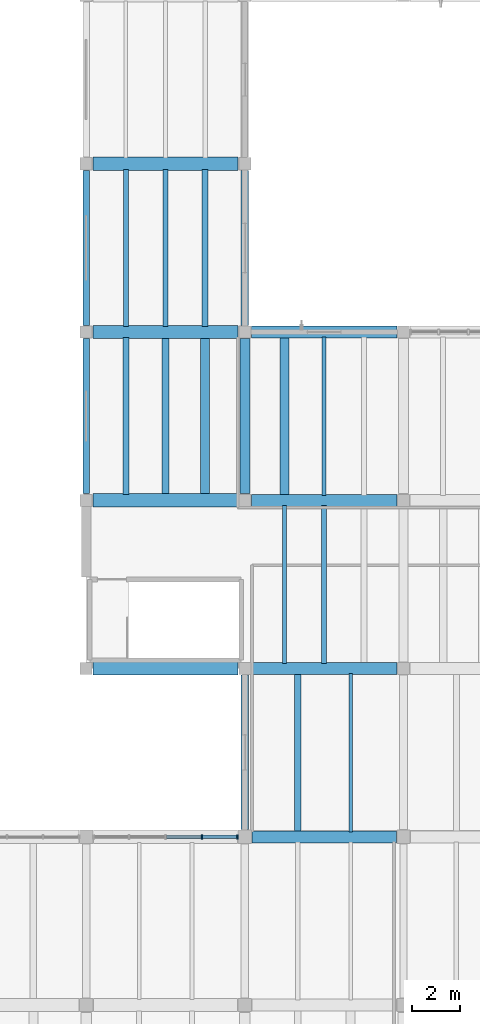
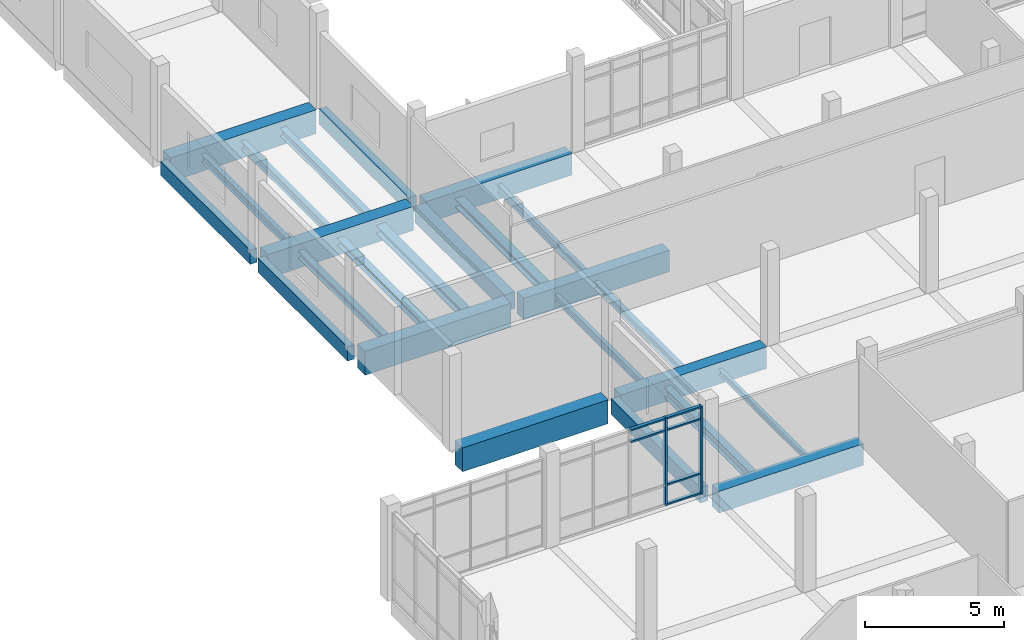
# One storey, part 8 of 65: 25 beams, 8 members, 1 element without a shape of its own.
"""IFC4 building model written with IfcOpenShell, lengths in metres."""

from ifc_helpers import new_model, si_unit, direction, frame, origin, origin_2d, place, context, subcontext, project, spatial, rectangle, i_section, extrude, material, material_profile, profile_set, type_object, element, aggregate, save


model = new_model("IFC4")

# Units and contexts
model_context = context("Model", 3, precision=1e-05, world=origin(), true_north=direction((0.0, 1.0)))
body_context = subcontext(model_context, "Body", "Model", "MODEL_VIEW")
ifc_project = project(units=[si_unit("LENGTHUNIT", "METRE"), si_unit("AREAUNIT", "SQUARE_METRE"), si_unit("VOLUMEUNIT", "CUBIC_METRE"), si_unit("PLANEANGLEUNIT", "RADIAN"), si_unit("MASSUNIT", "GRAM", prefix="KILO")], contexts=[model_context])

# Site, building, storey
site_placement = place(None, origin())
site = spatial("IfcSite", under=ifc_project, at=site_placement, CompositionType="ELEMENT")
building_placement = place(site_placement, origin())
building = spatial("IfcBuilding", under=site, at=building_placement, Name="Ciguamira Faculty of Natural Sciences", CompositionType="ELEMENT")
storey_placement = place(building_placement, frame((0.0, 0.0, 12.60009765625)))
storey = spatial("IfcBuildingStorey", under=building, at=storey_placement, Name="L03", CompositionType="ELEMENT", Elevation=12.60009765625)

# Curtain wall, members
ifc_material_1 = material(Name="Anodized aluminium curtain wall", Category="aluminium")
curtain_wall_type = type_object("IfcCurtainWallType", Name="CurtainWall_CW-02", PredefinedType="USERDEFINED", material=ifc_material_1)
curtain_wall_placement = place(storey_placement, origin())
curtain_wall = element("IfcCurtainWall", 1, at=curtain_wall_placement, inside=storey, type_object=curtain_wall_type, Name="L03 unitised curtain wall 0086", ObjectType="UNITISED CURTAIN WALL", PredefinedType="USERDEFINED")
ifc_material_2 = material(Name="Anodized aluminium mullion", Category="aluminium")
ifc_material_profile_1 = material_profile(ifc_material_2, rectangle(XDim=0.070068359375, YDim=0.179931640625, at=origin_2d()), Name="ALU-MUL-70X180")
ifc_profile_set_1 = profile_set([ifc_material_profile_1], Name="Anodized aluminium mullion")
member_type_1 = type_object("IfcMemberType", Name="CWMullion_CWM-02", PredefinedType="MULLION", material=ifc_profile_set_1)
member_1_placement = place(storey_placement, frame((62.112548828125, 38.0, 0.0), z_axis=(0.0, 0.0, 1.0), x_axis=(1.0, 0.0, 0.0)))
member_1 = element("IfcMember", 2, at=member_1_placement, type_object=member_type_1, Name="CW-02 mullion 4", PredefinedType="MULLION", context=body_context, shape_type="SweptSolid", body=[
    extrude(rectangle(XDim=0.070068359375, YDim=0.179931640625, at=origin_2d()), origin(), (0.0, 0.0, 1.0), 3.849853515625),
])
member_2_placement = place(storey_placement, frame((63.590087890625, 38.0, 0.0), z_axis=(0.0, 0.0, 1.0), x_axis=(1.0, 0.0, 0.0)))
member_2 = element("IfcMember", 3, at=member_2_placement, type_object=member_type_1, Name="CW-02 mullion 5", PredefinedType="MULLION", context=body_context, shape_type="SweptSolid", body=[
    extrude(rectangle(XDim=0.070068359375, YDim=0.179931640625, at=origin_2d()), origin(), (0.0, 0.0, 1.0), 3.849853515625),
])
ifc_material_3 = material(Name="Anodized aluminium transom", Category="aluminium")
ifc_material_profile_2 = material_profile(ifc_material_3, rectangle(XDim=0.070068359375, YDim=0.139892578125, at=origin_2d()), Name="ALU-TRN-70X140")
ifc_profile_set_2 = profile_set([ifc_material_profile_2], Name="Anodized aluminium transom")
member_type_2 = type_object("IfcMemberType", Name="CWTransom_CWT-02", PredefinedType="USERDEFINED", material=ifc_profile_set_2)
member_3_placement = place(storey_placement, frame((60.635009765625, 38.0, 3.2998046875), z_axis=(1.0, 0.0, 0.0), x_axis=(0.0, 0.0, 1.0)))
member_3 = element("IfcMember", 4, at=member_3_placement, type_object=member_type_2, Name="CW-02 transom 3.3", ObjectType="TRANSOM", PredefinedType="USERDEFINED", context=body_context, shape_type="SweptSolid", body=[
    extrude(rectangle(XDim=0.070068359375, YDim=0.139892578125, at=origin_2d()), origin(), (0.0, 0.0, 1.0), 1.4423828125),
])
member_4_placement = place(storey_placement, frame((60.635009765625, 38.0, 3.81494140625), z_axis=(1.0, 0.0, 0.0), x_axis=(0.0, 0.0, 1.0)))
member_4 = element("IfcMember", 5, at=member_4_placement, type_object=member_type_2, Name="CW-02 transom 3.4", ObjectType="TRANSOM", PredefinedType="USERDEFINED", context=body_context, shape_type="SweptSolid", body=[
    extrude(rectangle(XDim=0.070068359375, YDim=0.139892578125, at=origin_2d()), origin(), (0.0, 0.0, 1.0), 1.4423828125),
])
member_5_placement = place(storey_placement, frame((62.1474609375, 38.0, 0.034912109375), z_axis=(1.0, 0.0, 0.0), x_axis=(0.0, 0.0, 1.0)))
member_5 = element("IfcMember", 6, at=member_5_placement, type_object=member_type_2, Name="CW-02 transom 4.1", ObjectType="TRANSOM", PredefinedType="USERDEFINED", context=body_context, shape_type="SweptSolid", body=[
    extrude(rectangle(XDim=0.070068359375, YDim=0.139892578125, at=origin_2d()), origin(), (0.0, 0.0, 1.0), 1.407470703125),
])
member_6_placement = place(storey_placement, frame((62.1474609375, 38.0, 0.89990234375), z_axis=(1.0, 0.0, 0.0), x_axis=(0.0, 0.0, 1.0)))
member_6 = element("IfcMember", 7, at=member_6_placement, type_object=member_type_2, Name="CW-02 transom 4.2", ObjectType="TRANSOM", PredefinedType="USERDEFINED", context=body_context, shape_type="SweptSolid", body=[
    extrude(rectangle(XDim=0.070068359375, YDim=0.139892578125, at=origin_2d()), origin(), (0.0, 0.0, 1.0), 1.407470703125),
])
member_7_placement = place(storey_placement, frame((62.1474609375, 38.0, 3.2998046875), z_axis=(1.0, 0.0, 0.0), x_axis=(0.0, 0.0, 1.0)))
member_7 = element("IfcMember", 8, at=member_7_placement, type_object=member_type_2, Name="CW-02 transom 4.3", ObjectType="TRANSOM", PredefinedType="USERDEFINED", context=body_context, shape_type="SweptSolid", body=[
    extrude(rectangle(XDim=0.070068359375, YDim=0.139892578125, at=origin_2d()), origin(), (0.0, 0.0, 1.0), 1.407470703125),
])
member_8_placement = place(storey_placement, frame((62.1474609375, 38.0, 3.81494140625), z_axis=(1.0, 0.0, 0.0), x_axis=(0.0, 0.0, 1.0)))
member_8 = element("IfcMember", 9, at=member_8_placement, type_object=member_type_2, Name="CW-02 transom 4.4", ObjectType="TRANSOM", PredefinedType="USERDEFINED", context=body_context, shape_type="SweptSolid", body=[
    extrude(rectangle(XDim=0.070068359375, YDim=0.139892578125, at=origin_2d()), origin(), (0.0, 0.0, 1.0), 1.407470703125),
])
aggregate(curtain_wall, [member_1, member_2, member_3, member_4, member_5, member_6, member_7, member_8])

# Beams
ifc_material_4 = material(Name="Concrete C40/50", Category="concrete")
ifc_material_profile_3 = material_profile(ifc_material_4, rectangle(XDim=0.550048828125, YDim=1.050048828125, at=origin_2d()), Name="RC-BM-550X1050")
ifc_profile_set_3 = profile_set([ifc_material_profile_3], Name="Concrete C40/50")
beam_type_1 = type_object("IfcBeamType", Name="RCBeam_BG-01_RC-BM-550X1050", PredefinedType="BEAM", material=ifc_profile_set_3)
for number, where, z_axis, x_axis, name in (
    (10, (57.574951171875, 45.0, -0.525146484375), (1.0, 0.0, 0.0), (0.0, 1.0, 0.0), "L03 RC girder EW-1091"),
    (11, (57.574951171875, 52.0, -0.525146484375), (1.0, 0.0, 0.0), (0.0, 1.0, 0.0), "L03 RC girder EW-1100"),
    (12, (57.574951171875, 59.0, -0.525146484375), (1.0, 0.0, 0.0), (0.0, 1.0, 0.0), "L03 RC girder EW-1109"),
    (13, (57.574951171875, 66.0, -0.525146484375), (1.0, 0.0, 0.0), (0.0, 1.0, 0.0), "L03 RC girder EW-1118"),
):
    element("IfcBeam", number, at=place(storey_placement, frame(where, z_axis=z_axis, x_axis=x_axis)), inside=storey, type_object=beam_type_1, Name=name, PredefinedType="BEAM", context=body_context, shape_type="SweptSolid", body=[
        extrude(rectangle(XDim=0.550048828125, YDim=1.050048828125, at=origin_2d()), origin(), (0.0, 0.0, 1.0), 6.050048828125),
    ])
ifc_material_profile_4 = material_profile(ifc_material_4, rectangle(XDim=0.5, YDim=0.949951171875, at=origin_2d()), Name="RC-BM-500X950")
ifc_profile_set_4 = profile_set([ifc_material_profile_4], Name="Concrete C40/50")
beam_type_2 = type_object("IfcBeamType", Name="RCBeam_BG-02_RC-BM-500X950", PredefinedType="BEAM", material=ifc_profile_set_4)
beam_1_placement = place(storey_placement, frame((64.199951171875, 38.0, -0.47509765625), z_axis=(1.0, 0.0, 0.0), x_axis=(0.0, 1.0, 0.0)))
element("IfcBeam", 14, at=beam_1_placement, inside=storey, type_object=beam_type_2, Name="L03 RC girder EW-1082", PredefinedType="BEAM", context=body_context, shape_type="SweptSolid", body=[
    extrude(rectangle(XDim=0.5, YDim=0.949951171875, at=origin_2d()), origin(), (0.0, 0.0, 1.0), 6.0),
])
for number, where, z_axis, x_axis, name in (
    (15, (64.175048828125, 45.0, -0.47509765625), (1.0, 0.0, 0.0), (0.0, 1.0, 0.0), "L03 RC girder EW-1092"),
    (16, (64.175048828125, 52.0, -0.47509765625), (1.0, 0.0, 0.0), (0.0, 1.0, 0.0), "L03 RC girder EW-1101"),
    (17, (64.175048828125, 59.0, -0.47509765625), (1.0, 0.0, 0.0), (0.0, 1.0, 0.0), "L03 RC girder EW-1110"),
):
    element("IfcBeam", number, at=place(storey_placement, frame(where, z_axis=z_axis, x_axis=x_axis)), inside=storey, type_object=beam_type_2, Name=name, PredefinedType="BEAM", context=body_context, shape_type="SweptSolid", body=[
        extrude(rectangle(XDim=0.5, YDim=0.949951171875, at=origin_2d()), origin(), (0.0, 0.0, 1.0), 6.050048828125),
    ])
ifc_material_profile_5 = material_profile(ifc_material_4, rectangle(XDim=0.419921875, YDim=0.739990234375, at=origin_2d()), Name="RC-BM-420X740")
ifc_profile_set_5 = profile_set([ifc_material_profile_5], Name="Concrete C40/50")
beam_type_3 = type_object("IfcBeamType", Name="RCBeam_BG-07_RC-BM-420X740", PredefinedType="BEAM", material=ifc_profile_set_5)
beam_2_placement = place(storey_placement, frame((63.89990234375, 52.27490234375, -0.3701171875), z_axis=(0.0, 1.0, 0.0), x_axis=(-1.0, 0.0, 0.0)))
element("IfcBeam", 18, at=beam_2_placement, inside=storey, type_object=beam_type_3, Name="L03 girder NS-1220", PredefinedType="BEAM", context=body_context, shape_type="SweptSolid", body=[
    extrude(rectangle(XDim=0.419921875, YDim=0.739990234375, at=origin_2d()), origin(), (0.0, 0.0, 1.0), 6.4501953125),
])
ifc_material_5 = material(Name="Precast concrete C40/50", Category="concrete")
ifc_material_profile_6 = material_profile(ifc_material_5, rectangle(XDim=0.280029296875, YDim=0.6201171875, at=origin_2d()), Name="RC-SP-280X620")
ifc_profile_set_6 = profile_set([ifc_material_profile_6], Name="Precast concrete C40/50")
beam_type_4 = type_object("IfcBeamType", Name="RCBeam_SP-01_RC-SP-280X620", PredefinedType="SPANDREL", material=ifc_profile_set_6)
for number, where, z_axis, x_axis, name in (
    (19, (57.300048828125, 52.27490234375, -0.31005859375), (0.0, 1.0, 0.0), (-1.0, 0.0, 0.0), "L03 girder NS-1208"),
    (20, (57.300048828125, 59.27490234375, -0.31005859375), (0.0, 1.0, 0.0), (-1.0, 0.0, 0.0), "L03 girder NS-1209"),
):
    element("IfcBeam", number, at=place(storey_placement, frame(where, z_axis=z_axis, x_axis=x_axis)), inside=storey, type_object=beam_type_4, Name=name, PredefinedType="SPANDREL", context=body_context, shape_type="SweptSolid", body=[
        extrude(rectangle(XDim=0.280029296875, YDim=0.6201171875, at=origin_2d()), origin(), (0.0, 0.0, 1.0), 6.4501953125),
    ])
ifc_material_profile_7 = material_profile(ifc_material_5, rectangle(XDim=0.320068359375, YDim=0.679931640625, at=origin_2d()), Name="RC-SP-320X680")
ifc_profile_set_7 = profile_set([ifc_material_profile_7], Name="Precast concrete C40/50")
beam_type_5 = type_object("IfcBeamType", Name="RCBeam_SP-02_RC-SP-320X680", PredefinedType="SPANDREL", material=ifc_profile_set_7)
beam_3_placement = place(storey_placement, frame((63.89990234375, 38.300048828125, -0.340087890625), z_axis=(0.0, 1.0, 0.0), x_axis=(-1.0, 0.0, 0.0)))
element("IfcBeam", 21, at=beam_3_placement, inside=storey, type_object=beam_type_5, Name="L03 girder NS-1219", PredefinedType="SPANDREL", context=body_context, shape_type="SweptSolid", body=[
    extrude(rectangle(XDim=0.320068359375, YDim=0.679931640625, at=origin_2d()), origin(), (0.0, 0.0, 1.0), 6.425048828125),
])
beam_4_placement = place(storey_placement, frame((63.89990234375, 59.27490234375, -0.340087890625), z_axis=(0.0, 1.0, 0.0), x_axis=(-1.0, 0.0, 0.0)))
element("IfcBeam", 22, at=beam_4_placement, inside=storey, type_object=beam_type_5, Name="L03 girder NS-1221", PredefinedType="SPANDREL", context=body_context, shape_type="SweptSolid", body=[
    extrude(rectangle(XDim=0.320068359375, YDim=0.679931640625, at=origin_2d()), origin(), (0.0, 0.0, 1.0), 6.4501953125),
])
ifc_material_6 = material(Name="Steel ASTM A992 Grade 50", Category="steel")
ifc_material_profile_8 = material_profile(ifc_material_6, i_section(OverallWidth=0.14599609375, OverallDepth=0.259033203125, WebThickness=0.006103515625, FlangeThickness=0.009033203125, at=origin_2d()), Name="W10X22")
ifc_profile_set_8 = profile_set([ifc_material_profile_8], Name="Steel ASTM A992 Grade 50")
beam_type_6 = type_object("IfcBeamType", Name="SteelJoist_SJ-01_W10X22", PredefinedType="JOIST", material=ifc_profile_set_8)
beam_5_placement = place(storey_placement, frame((68.300048828125, 38.2099609375, -0.40966796875), z_axis=(0.0, 1.0, 0.0), x_axis=(-1.0, 0.0, 0.0)))
element("IfcBeam", 23, at=beam_5_placement, inside=storey, type_object=beam_type_6, Name="L03 composite steel joist 01056", PredefinedType="JOIST", context=body_context, shape_type="SweptSolid", body=[
    extrude(i_section(OverallWidth=0.14599609375, OverallDepth=0.259033203125, WebThickness=0.006103515625, FlangeThickness=0.009033203125, at=origin_2d()), origin(), (0.0, 0.0, 1.0), 6.580078125),
])
ifc_material_profile_9 = material_profile(ifc_material_6, i_section(OverallWidth=0.16650390625, OverallDepth=0.3173828125, WebThickness=0.007568359375, FlangeThickness=0.01318359375, at=origin_2d()), Name="W12X35")
ifc_profile_set_9 = profile_set([ifc_material_profile_9], Name="Steel ASTM A992 Grade 50")
beam_type_7 = type_object("IfcBeamType", Name="SteelJoist_SJ-05_W12X35", PredefinedType="JOIST", material=ifc_profile_set_9)
beam_6_placement = place(storey_placement, frame((65.550048828125, 45.2099609375, -0.438720703125), z_axis=(0.0, 1.0, 0.0), x_axis=(-1.0, 0.0, 0.0)))
element("IfcBeam", 24, at=beam_6_placement, inside=storey, type_object=beam_type_7, Name="L03 composite steel joist 01057", PredefinedType="JOIST", context=body_context, shape_type="SweptSolid", body=[
    extrude(i_section(OverallWidth=0.16650390625, OverallDepth=0.3173828125, WebThickness=0.007568359375, FlangeThickness=0.01318359375, at=origin_2d()), origin(), (0.0, 0.0, 1.0), 6.580078125),
])
ifc_material_profile_10 = material_profile(ifc_material_6, i_section(OverallWidth=0.20458984375, OverallDepth=0.307373046875, WebThickness=0.008544921875, FlangeThickness=0.0146484375, at=origin_2d()), Name="W12X45")
ifc_profile_set_10 = profile_set([ifc_material_profile_10], Name="Steel ASTM A992 Grade 50")
beam_type_8 = type_object("IfcBeamType", Name="SteelJoist_SJ-06_W12X45", PredefinedType="JOIST", material=ifc_profile_set_10)
beam_7_placement = place(storey_placement, frame((67.199951171875, 45.2099609375, -0.433837890625), z_axis=(0.0, 1.0, 0.0), x_axis=(-1.0, 0.0, 0.0)))
element("IfcBeam", 25, at=beam_7_placement, inside=storey, type_object=beam_type_8, Name="L03 composite steel joist 01058", PredefinedType="JOIST", context=body_context, shape_type="SweptSolid", body=[
    extrude(i_section(OverallWidth=0.20458984375, OverallDepth=0.307373046875, WebThickness=0.008544921875, FlangeThickness=0.0146484375, at=origin_2d()), origin(), (0.0, 0.0, 1.0), 6.580078125),
])
ifc_material_profile_11 = material_profile(ifc_material_6, i_section(OverallWidth=0.25390625, OverallDepth=0.307373046875, WebThickness=0.0087890625, FlangeThickness=0.0146484375, at=origin_2d()), Name="W12X53")
ifc_profile_set_11 = profile_set([ifc_material_profile_11], Name="Steel ASTM A992 Grade 50")
beam_type_9 = type_object("IfcBeamType", Name="SteelJoist_SJ-07_W12X53", PredefinedType="JOIST", material=ifc_profile_set_11)
beam_8_placement = place(storey_placement, frame((58.949951171875, 52.235107421875, -0.433837890625), z_axis=(0.0, 1.0, 0.0), x_axis=(-1.0, 0.0, 0.0)))
element("IfcBeam", 26, at=beam_8_placement, inside=storey, type_object=beam_type_9, Name="L03 composite steel joist 01027", PredefinedType="JOIST", context=body_context, shape_type="SweptSolid", body=[
    extrude(i_section(OverallWidth=0.25390625, OverallDepth=0.307373046875, WebThickness=0.0087890625, FlangeThickness=0.0146484375, at=origin_2d()), origin(), (0.0, 0.0, 1.0), 6.52978515625),
])
ifc_material_profile_12 = material_profile(ifc_material_6, i_section(OverallWidth=0.3046875, OverallDepth=0.307373046875, WebThickness=0.010009765625, FlangeThickness=0.015380859375, at=origin_2d()), Name="W12X65")
ifc_profile_set_12 = profile_set([ifc_material_profile_12], Name="Steel ASTM A992 Grade 50")
beam_type_10 = type_object("IfcBeamType", Name="SteelJoist_SJ-08_W12X65", PredefinedType="JOIST", material=ifc_profile_set_12)
beam_9_placement = place(storey_placement, frame((60.60009765625, 52.235107421875, -0.433837890625), z_axis=(0.0, 1.0, 0.0), x_axis=(-1.0, 0.0, 0.0)))
element("IfcBeam", 27, at=beam_9_placement, inside=storey, type_object=beam_type_10, Name="L03 composite steel joist 01028", PredefinedType="JOIST", context=body_context, shape_type="SweptSolid", body=[
    extrude(i_section(OverallWidth=0.3046875, OverallDepth=0.307373046875, WebThickness=0.010009765625, FlangeThickness=0.015380859375, at=origin_2d()), origin(), (0.0, 0.0, 1.0), 6.52978515625),
])
ifc_material_profile_13 = material_profile(ifc_material_6, i_section(OverallWidth=0.370849609375, OverallDepth=0.36328125, WebThickness=0.013427734375, FlangeThickness=0.021728515625, at=origin_2d()), Name="W14X109")
ifc_profile_set_13 = profile_set([ifc_material_profile_13], Name="Steel ASTM A992 Grade 50")
beam_type_11 = type_object("IfcBeamType", Name="SteelJoist_SJ-09_W14X109", PredefinedType="JOIST", material=ifc_profile_set_13)
beam_10_placement = place(storey_placement, frame((62.25, 52.235107421875, -0.461669921875), z_axis=(0.0, 1.0, 0.0), x_axis=(-1.0, 0.0, 0.0)))
element("IfcBeam", 28, at=beam_10_placement, inside=storey, type_object=beam_type_11, Name="L03 composite steel joist 01029", PredefinedType="JOIST", context=body_context, shape_type="SweptSolid", body=[
    extrude(i_section(OverallWidth=0.370849609375, OverallDepth=0.36328125, WebThickness=0.013427734375, FlangeThickness=0.021728515625, at=origin_2d()), origin(), (0.0, 0.0, 1.0), 6.52978515625),
])
ifc_material_profile_14 = material_profile(ifc_material_6, i_section(OverallWidth=0.373291015625, OverallDepth=0.373291015625, WebThickness=0.016357421875, FlangeThickness=0.026123046875, at=origin_2d()), Name="W14X132")
ifc_profile_set_14 = profile_set([ifc_material_profile_14], Name="Steel ASTM A992 Grade 50")
beam_type_12 = type_object("IfcBeamType", Name="SteelJoist_SJ-10_W14X132", PredefinedType="JOIST", material=ifc_profile_set_14)
beam_11_placement = place(storey_placement, frame((65.550048828125, 52.2099609375, -0.466796875), z_axis=(0.0, 1.0, 0.0), x_axis=(-1.0, 0.0, 0.0)))
element("IfcBeam", 29, at=beam_11_placement, inside=storey, type_object=beam_type_12, Name="L03 composite steel joist 01060", PredefinedType="JOIST", context=body_context, shape_type="SweptSolid", body=[
    extrude(i_section(OverallWidth=0.373291015625, OverallDepth=0.373291015625, WebThickness=0.016357421875, FlangeThickness=0.026123046875, at=origin_2d()), origin(), (0.0, 0.0, 1.0), 6.580078125),
])
ifc_material_profile_15 = material_profile(ifc_material_6, i_section(OverallWidth=0.1708984375, OverallDepth=0.3505859375, WebThickness=0.0068359375, FlangeThickness=0.009765625, at=origin_2d()), Name="W14X30")
ifc_profile_set_15 = profile_set([ifc_material_profile_15], Name="Steel ASTM A992 Grade 50")
beam_type_13 = type_object("IfcBeamType", Name="SteelJoist_SJ-11_W14X30", PredefinedType="JOIST", material=ifc_profile_set_15)
beam_12_placement = place(storey_placement, frame((67.199951171875, 52.2099609375, -0.455322265625), z_axis=(0.0, 1.0, 0.0), x_axis=(-1.0, 0.0, 0.0)))
element("IfcBeam", 30, at=beam_12_placement, inside=storey, type_object=beam_type_13, Name="L03 composite steel joist 01061", PredefinedType="JOIST", context=body_context, shape_type="SweptSolid", body=[
    extrude(i_section(OverallWidth=0.1708984375, OverallDepth=0.3505859375, WebThickness=0.0068359375, FlangeThickness=0.009765625, at=origin_2d()), origin(), (0.0, 0.0, 1.0), 6.580078125),
])
ifc_material_profile_16 = material_profile(ifc_material_6, i_section(OverallWidth=0.203125, OverallDepth=0.347900390625, WebThickness=0.0078125, FlangeThickness=0.013427734375, at=origin_2d()), Name="W14X43")
ifc_profile_set_16 = profile_set([ifc_material_profile_16], Name="Steel ASTM A992 Grade 50")
beam_type_14 = type_object("IfcBeamType", Name="SteelJoist_SJ-12_W14X43", PredefinedType="JOIST", material=ifc_profile_set_16)
beam_13_placement = place(storey_placement, frame((58.949951171875, 59.235107421875, -0.4541015625), z_axis=(0.0, 1.0, 0.0), x_axis=(-1.0, 0.0, 0.0)))
element("IfcBeam", 31, at=beam_13_placement, inside=storey, type_object=beam_type_14, Name="L03 composite steel joist 01030", PredefinedType="JOIST", context=body_context, shape_type="SweptSolid", body=[
    extrude(i_section(OverallWidth=0.203125, OverallDepth=0.347900390625, WebThickness=0.0078125, FlangeThickness=0.013427734375, at=origin_2d()), origin(), (0.0, 0.0, 1.0), 6.52978515625),
])
ifc_material_profile_17 = material_profile(ifc_material_6, i_section(OverallWidth=0.204833984375, OverallDepth=0.35302734375, WebThickness=0.00927734375, FlangeThickness=0.016845703125, at=origin_2d()), Name="W14X53")
ifc_profile_set_17 = profile_set([ifc_material_profile_17], Name="Steel ASTM A992 Grade 50")
beam_type_15 = type_object("IfcBeamType", Name="SteelJoist_SJ-13_W14X53", PredefinedType="JOIST", material=ifc_profile_set_17)
beam_14_placement = place(storey_placement, frame((60.60009765625, 59.235107421875, -0.45654296875), z_axis=(0.0, 1.0, 0.0), x_axis=(-1.0, 0.0, 0.0)))
element("IfcBeam", 32, at=beam_14_placement, inside=storey, type_object=beam_type_15, Name="L03 composite steel joist 01031", PredefinedType="JOIST", context=body_context, shape_type="SweptSolid", body=[
    extrude(i_section(OverallWidth=0.204833984375, OverallDepth=0.35302734375, WebThickness=0.00927734375, FlangeThickness=0.016845703125, at=origin_2d()), origin(), (0.0, 0.0, 1.0), 6.52978515625),
])
ifc_material_profile_18 = material_profile(ifc_material_6, i_section(OverallWidth=0.25390625, OverallDepth=0.355712890625, WebThickness=0.010498046875, FlangeThickness=0.018310546875, at=origin_2d()), Name="W14X68")
ifc_profile_set_18 = profile_set([ifc_material_profile_18], Name="Steel ASTM A992 Grade 50")
beam_type_16 = type_object("IfcBeamType", Name="SteelJoist_SJ-14_W14X68", PredefinedType="JOIST", material=ifc_profile_set_18)
beam_15_placement = place(storey_placement, frame((62.25, 59.235107421875, -0.4580078125), z_axis=(0.0, 1.0, 0.0), x_axis=(-1.0, 0.0, 0.0)))
element("IfcBeam", 33, at=beam_15_placement, inside=storey, type_object=beam_type_16, Name="L03 composite steel joist 01032", PredefinedType="JOIST", context=body_context, shape_type="SweptSolid", body=[
    extrude(i_section(OverallWidth=0.25390625, OverallDepth=0.355712890625, WebThickness=0.010498046875, FlangeThickness=0.018310546875, at=origin_2d()), origin(), (0.0, 0.0, 1.0), 6.52978515625),
])
ifc_material_profile_19 = material_profile(ifc_material_6, i_section(OverallWidth=0.279296875, OverallDepth=0.462158203125, WebThickness=0.0107421875, FlangeThickness=0.017333984375, at=origin_2d()), Name="W18X76")
ifc_profile_set_19 = profile_set([ifc_material_profile_19], Name="Steel ASTM A992 Grade 50")
beam_type_17 = type_object("IfcBeamType", Name="SteelJoist_SJ-25_W18X76", PredefinedType="JOIST", material=ifc_profile_set_19)
beam_16_placement = place(storey_placement, frame((66.10009765625, 38.2099609375, -0.51123046875), z_axis=(0.0, 1.0, 0.0), x_axis=(-1.0, 0.0, 0.0)))
element("IfcBeam", 34, at=beam_16_placement, inside=storey, type_object=beam_type_17, Name="L03 composite steel joist 01055", PredefinedType="JOIST", context=body_context, shape_type="SweptSolid", body=[
    extrude(i_section(OverallWidth=0.279296875, OverallDepth=0.462158203125, WebThickness=0.0107421875, FlangeThickness=0.017333984375, at=origin_2d()), origin(), (0.0, 0.0, 1.0), 6.580078125),
])

save(model, "model.ifc")
